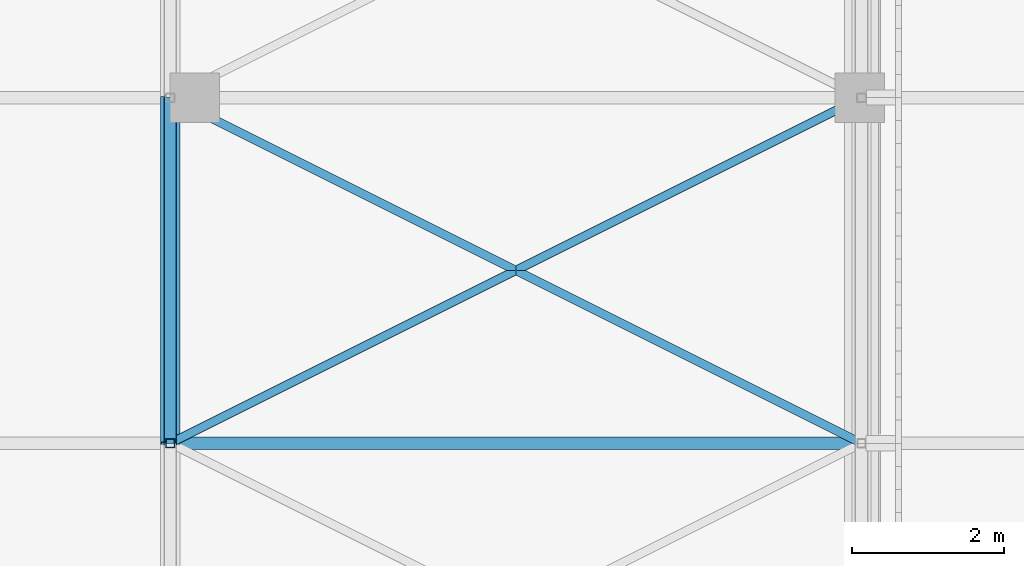
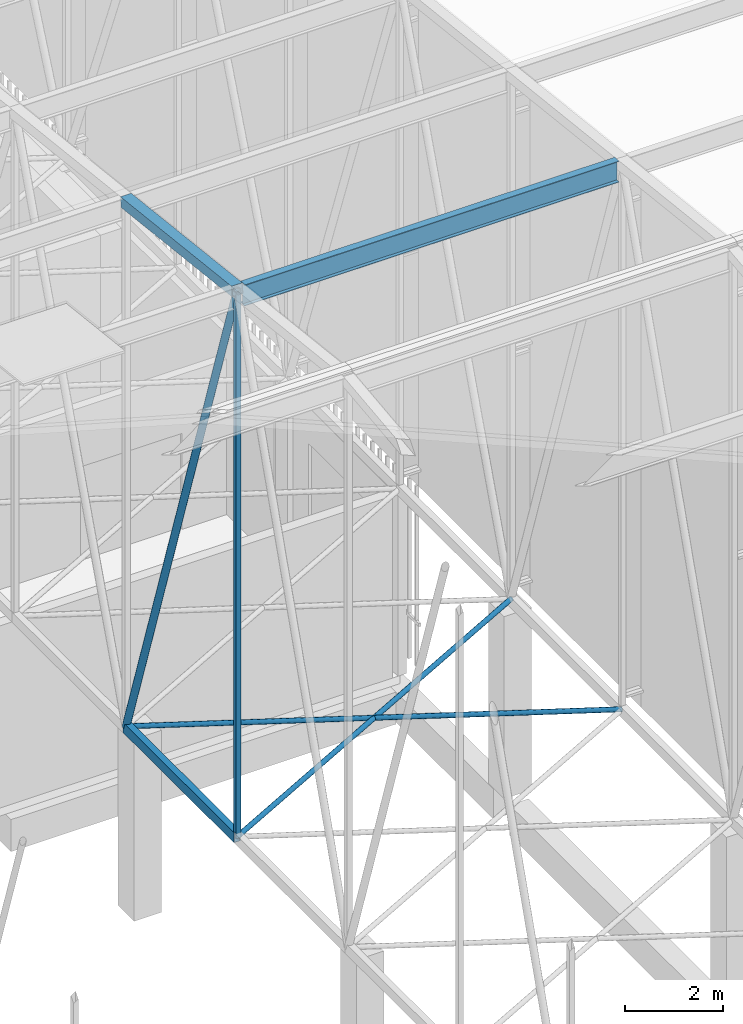
# One storey, part 373 of 500: 7 members.
"""IFC4 building model written with IfcOpenShell, lengths in metres."""

from ifc_helpers import new_model, si_unit, direction, frame, origin, origin_2d, place, context, subcontext, project, spatial, hollow_rectangle, hollow_circle, i_section, extrude, material, material_profile, profile_set, type_object, element, save


model = new_model("IFC4")

# Units and contexts
model_context = context("Model", 3, precision=1e-05, world=origin(), true_north=direction((0.0, 1.0)))
body_context = subcontext(model_context, "Body", "Model", "MODEL_VIEW")
ifc_project = project(units=[si_unit("LENGTHUNIT", "METRE"), si_unit("AREAUNIT", "SQUARE_METRE"), si_unit("VOLUMEUNIT", "CUBIC_METRE"), si_unit("PLANEANGLEUNIT", "RADIAN"), si_unit("MASSUNIT", "GRAM", prefix="KILO")], contexts=[model_context])

# Site, building, storey
site_placement = place(None, origin())
site = spatial("IfcSite", under=ifc_project, at=site_placement, CompositionType="ELEMENT")
building_placement = place(site_placement, origin())
building = spatial("IfcBuilding", under=site, at=building_placement, Name="Shirokan Park Arena", CompositionType="ELEMENT")
storey_placement = place(building_placement, frame((0.0, 0.0, 29.1201171875)))
storey = spatial("IfcBuildingStorey", under=building, at=storey_placement, Name="L06", CompositionType="ELEMENT", Elevation=29.1201171875)

# Members
ifc_material_1 = material(Name="Steel ASTM A500 Grade C", Category="steel")
ifc_material_profile_1 = material_profile(ifc_material_1, hollow_rectangle(XDim=0.152099609375, YDim=0.25390625, WallThickness=0.009521484375, at=origin_2d()), Name="HSS254X152.4X9.5")
ifc_profile_set_1 = profile_set([ifc_material_profile_1], Name="Steel ASTM A500 Grade C")
member_type_1 = type_object("IfcMemberType", Name="Bottom chord HSS254X152.4X9.5", PredefinedType="CHORD", material=ifc_profile_set_1)
member_1_placement = place(storey_placement, frame((136.5, 59.14990234375, 4.677001953125), z_axis=(0.0, 1.0, 0.0), x_axis=(-1.0, 0.0, 0.0)))
element("IfcMember", 1, at=member_1_placement, inside=storey, type_object=member_type_1, Name="Truss T16 bottom chord 16", PredefinedType="CHORD", context=body_context, shape_type="SweptSolid", body=[
    extrude(hollow_rectangle(XDim=0.152099609375, YDim=0.25390625, WallThickness=0.009521484375, at=origin_2d()), origin(), (0.0, 0.0, 1.0), 4.550048828125),
])
ifc_material_profile_2 = material_profile(ifc_material_1, hollow_circle(Radius=0.056884765625, WallThickness=0.006103515625, at=origin_2d()), Name="HSS114.3X6")
ifc_profile_set_2 = profile_set([ifc_material_profile_2], Name="Steel ASTM A500 Grade C")
member_type_2 = type_object("IfcMemberType", Name="Plan bracing HSS114.3X6", PredefinedType="BRACE", material=ifc_profile_set_2)
for number, where, z_axis, x_axis, name in (
    (2, (136.5, 59.14990234375, 4.677001953125), (0.894427191, 0.4472135955, 0.0), (-0.4472135955, 0.894427191, 0.0), "Plan bracing bay 16 panel 16 A"),
    (3, (145.60009765625, 59.14990234375, 4.677001953125), (-0.894427191, 0.4472135955, 0.0), (-0.4472135955, -0.894427191, 0.0), "Plan bracing bay 16 panel 16 B"),
):
    element("IfcMember", number, at=place(storey_placement, frame(where, z_axis=z_axis, x_axis=x_axis)), inside=storey, type_object=member_type_2, Name=name, PredefinedType="BRACE", context=body_context, shape_type="SweptSolid", body=[
        extrude(hollow_circle(Radius=0.056884765625, WallThickness=0.006103515625, at=origin_2d()), origin(), (0.0, 0.0, 1.0), 10.17431640625),
    ])
ifc_material_2 = material(Name="Steel ASTM A992", Category="steel")
ifc_material_profile_3 = material_profile(ifc_material_2, i_section(OverallWidth=0.166015625, OverallDepth=0.528076171875, WebThickness=0.009765625, FlangeThickness=0.013671875, at=origin_2d()), Name="W530X74")
ifc_profile_set_3 = profile_set([ifc_material_profile_3], Name="Steel ASTM A992")
member_type_3 = type_object("IfcMemberType", Name="Purlin W530X74", PredefinedType="PURLIN", material=ifc_profile_set_3)
member_2_placement = place(storey_placement, frame((136.626953125, 59.14990234375, 18.205810546875), z_axis=(1.0, 0.0, 0.0), x_axis=(0.0, 1.0, 0.0)))
element("IfcMember", 4, at=member_2_placement, inside=storey, type_object=member_type_3, Name="Purlin 16 bay 16", PredefinedType="PURLIN", context=body_context, shape_type="SweptSolid", body=[
    extrude(i_section(OverallWidth=0.166015625, OverallDepth=0.528076171875, WebThickness=0.009765625, FlangeThickness=0.013671875, at=origin_2d()), origin(), (0.0, 0.0, 1.0), 8.845947265625),
])
ifc_material_profile_4 = material_profile(ifc_material_1, hollow_rectangle(XDim=0.25390625, YDim=0.25390625, WallThickness=0.009521484375, at=origin_2d()), Name="HSS254X254X9.5")
ifc_profile_set_4 = profile_set([ifc_material_profile_4], Name="Steel ASTM A500 Grade C")
member_type_4 = type_object("IfcMemberType", Name="Top chord HSS254X254X9.5", PredefinedType="CHORD", material=ifc_profile_set_4)
member_3_placement = place(storey_placement, frame((136.5, 59.14990234375, 18.3427734375), z_axis=(0.0, 0.993538341779, -0.113496975353), x_axis=(-1.0, 0.0, 0.0)))
element("IfcMember", 5, at=member_3_placement, inside=storey, type_object=member_type_4, Name="Truss T16 top chord 16", PredefinedType="CHORD", context=body_context, shape_type="SweptSolid", body=[
    extrude(hollow_rectangle(XDim=0.25390625, YDim=0.25390625, WallThickness=0.009521484375, at=origin_2d()), origin(), (0.0, 0.0, 1.0), 4.57958984375),
])
ifc_material_profile_5 = material_profile(ifc_material_1, hollow_circle(Radius=0.083984375, WallThickness=0.009521484375, at=origin_2d()), Name="HSS168.3X9.5")
ifc_profile_set_5 = profile_set([ifc_material_profile_5], Name="Steel ASTM A500 Grade C")
member_type_5 = type_object("IfcMemberType", Name="Truss diagonal HSS168.3X9.5", PredefinedType="BRACE", material=ifc_profile_set_5)
member_4_placement = place(storey_placement, frame((136.5, 59.14990234375, 18.3427734375), z_axis=(0.0, 0.315902302102, -0.948791723998), x_axis=(-1.0, 0.0, 0.0)))
element("IfcMember", 6, at=member_4_placement, inside=storey, type_object=member_type_5, Name="Truss T16 diagonal 16", PredefinedType="BRACE", context=body_context, shape_type="SweptSolid", body=[
    extrude(hollow_circle(Radius=0.083984375, WallThickness=0.009521484375, at=origin_2d()), origin(), (0.0, 0.0, 1.0), 14.4033203125),
])
ifc_material_profile_6 = material_profile(ifc_material_1, hollow_rectangle(XDim=0.114013671875, YDim=0.114013671875, WallThickness=0.00634765625, at=origin_2d()), Name="HSS114.3X114.3X6.4")
ifc_profile_set_6 = profile_set([ifc_material_profile_6], Name="Steel ASTM A500 Grade C")
member_type_6 = type_object("IfcMemberType", Name="Truss post HSS114.3X114.3X6.4", PredefinedType="POST", material=ifc_profile_set_6)
member_5_placement = place(storey_placement, frame((136.5, 59.14990234375, 4.677001953125), z_axis=(0.0, 0.0, 1.0), x_axis=(1.0, 0.0, 0.0)))
element("IfcMember", 7, at=member_5_placement, inside=storey, type_object=member_type_6, Name="Truss T16 post 16", PredefinedType="POST", context=body_context, shape_type="SweptSolid", body=[
    extrude(hollow_rectangle(XDim=0.114013671875, YDim=0.114013671875, WallThickness=0.00634765625, at=origin_2d()), origin(), (0.0, 0.0, 1.0), 13.665771484375),
])

save(model, "model.ifc")
